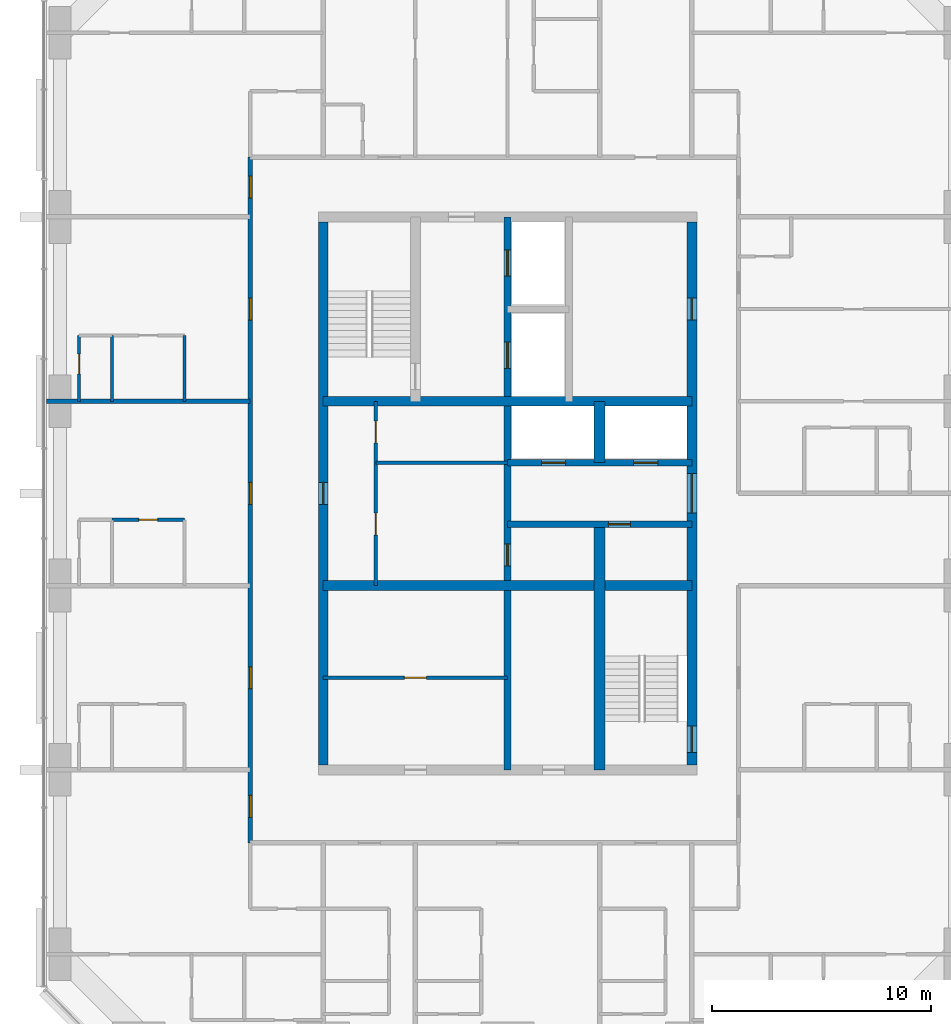
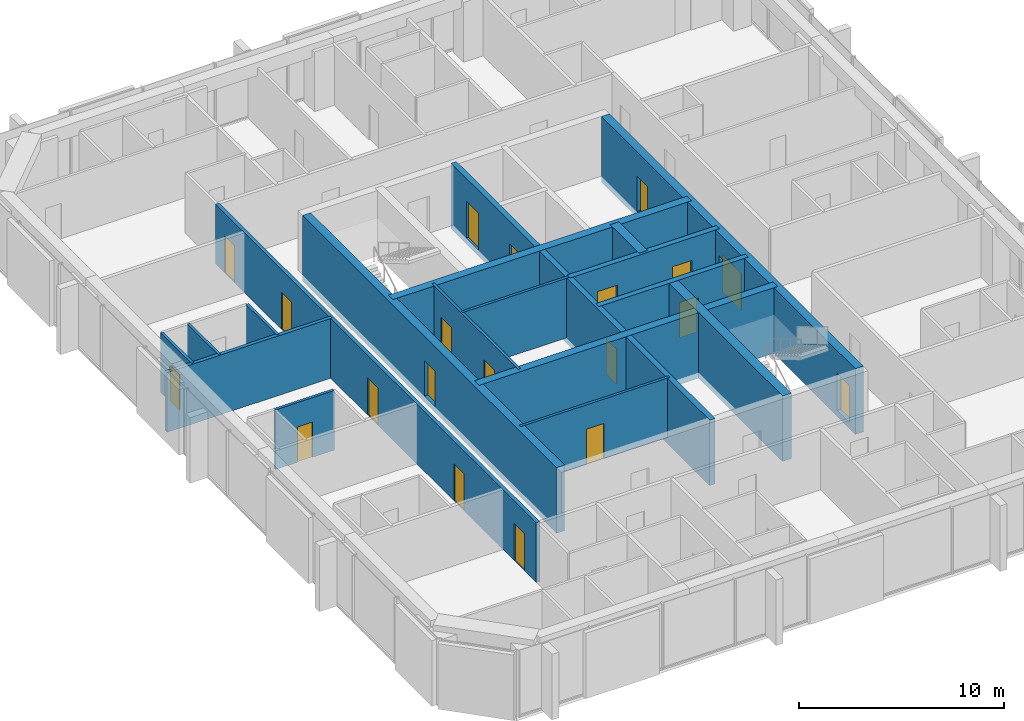
# One storey, part 8 of 12: 20 doors, 18 walls, 20 openings.
"""IFC4 building model written with IfcOpenShell, lengths in metres."""

from ifc_helpers import new_model, si_unit, direction, frame, frame_2d, origin, place, context, subcontext, project, spatial, rectangle, extrude, material, layer, layer_set, type_object, element, fill, save


model = new_model("IFC4")

# Units and contexts
model_context = context("Model", 3, precision=1e-05, world=origin(), true_north=direction((0.0, 1.0)))
body_context = subcontext(model_context, "Body", "Model", "MODEL_VIEW")
ifc_project = project(units=[si_unit("LENGTHUNIT", "METRE"), si_unit("AREAUNIT", "SQUARE_METRE"), si_unit("VOLUMEUNIT", "CUBIC_METRE"), si_unit("PLANEANGLEUNIT", "RADIAN"), si_unit("MASSUNIT", "GRAM", prefix="KILO")], contexts=[model_context])

# Site, building, storey
site_placement = place(None, origin())
site = spatial("IfcSite", under=ifc_project, at=site_placement, CompositionType="ELEMENT")
building_placement = place(site_placement, origin())
building = spatial("IfcBuilding", under=site, at=building_placement, Name="Dunama Terrace Hotel", CompositionType="ELEMENT")
storey_placement = place(building_placement, frame((0.0, 0.0, 241.199951171875)))
storey = spatial("IfcBuildingStorey", under=building, at=storey_placement, Name="L62", CompositionType="ELEMENT", Elevation=241.199951171875)

# Wall
ifc_material_1 = material(Name="Gypsum board partition", Category="masonry")
ifc_layer_1 = layer(ifc_material_1, 0.14990234375)
ifc_layer_set_1 = layer_set([ifc_layer_1], Name="Bathroom partition 150")
wall_type_1 = type_object("IfcWallType", Name="Bathroom partition 150", PredefinedType="PARTITIONING", material=ifc_layer_set_1)
wall_1_placement = place(storey_placement, frame((18.875, 33.60009765625, 0.0), z_axis=(0.0, 0.0, 1.0), x_axis=(0.0, 1.0, 0.0)))
element("IfcWall", 1, at=wall_1_placement, inside=storey, type_object=wall_type_1, Name="Bathroom partition 150 L62", PredefinedType="PARTITIONING", context=body_context, shape_type="SweptSolid", body=[
    extrude(rectangle(XDim=3.0, YDim=0.14990234375, at=frame_2d((1.5, 0.0))), origin(), (0.0, 0.0, 1.0), 3.550048828125),
])

# Wall, opening, door
wall_2_placement = place(storey_placement, frame((15.574951171875, 28.199951171875, 0.0), z_axis=(0.0, 0.0, 1.0), x_axis=(1.0, 0.0, 0.0)))
wall_2 = element("IfcWall", 2, at=wall_2_placement, inside=storey, type_object=wall_type_1, Name="Bathroom partition 150 L62", PredefinedType="PARTITIONING", context=body_context, shape_type="SweptSolid", body=[
    extrude(rectangle(XDim=3.300048828125, YDim=0.14990234375, at=frame_2d((1.64990234375, 0.0))), origin(), (0.0, 0.0, 1.0), 3.550048828125),
])
opening_1_placement = place(wall_2_placement, frame((1.22509765625, 0.0, 0.0)))
opening_1 = element("IfcOpeningElement", 3, at=opening_1_placement, cuts=wall_2, Name="Opening L62-64-036", PredefinedType="OPENING", context=body_context, shape_type="SweptSolid", body=[
    extrude(rectangle(XDim=0.85009765625, YDim=2.10009765625, at=frame_2d((0.425048828125, 1.050048828125))), frame((0.0, 0.0849609375, 0.0), z_axis=(0.0, -1.0, 0.0), x_axis=(1.0, 0.0, 0.0)), (0.0, 0.0, 1.0), 0.169921875),
])
ifc_material_2 = material(Name="Timber door with steel frame", Category="steel")
door_type_1 = type_object("IfcDoorType", Name="Bathroom door 850", OperationType="SINGLE_SWING_LEFT", PredefinedType="DOOR", material=ifc_material_2)
door_1_placement = place(opening_1_placement, frame((0.85009765625, 0.0, 0.0), z_axis=(0.0, 0.0, 1.0), x_axis=(-1.0, 0.0, 0.0)))
door_1 = element("IfcDoor", 4, at=door_1_placement, inside=storey, type_object=door_type_1, Name="Door to en-suite bathroom L62-64-036, type D2", OperationType="SINGLE_SWING_LEFT", OverallHeight=2.10009765625, OverallWidth=0.85009765625, PredefinedType="DOOR", context=body_context, shape_type="SweptSolid", body=[
    extrude(rectangle(XDim=0.85009765625, YDim=2.10009765625, at=frame_2d((0.425048828125, 1.050048828125))), frame((0.0, 0.025146484375, 0.0), z_axis=(0.0, -1.0, 0.0), x_axis=(1.0, 0.0, 0.0)), (0.0, 0.0, 1.0), 0.050048828125),
])
fill(opening_1, door_1)

# Wall, openings, doors
ifc_material_3 = material(Name="Concrete C50/60", Category="concrete")
ifc_layer_2 = layer(ifc_material_3, 0.300048828125)
ifc_layer_set_2 = layer_set([ifc_layer_2], Name="Core inner wall 300")
wall_type_2 = type_object("IfcWallType", Name="Core inner wall 300", PredefinedType="SHEAR", material=ifc_layer_set_2)
wall_3_placement = place(storey_placement, frame((33.60009765625, 16.800048828125, -0.349853515625), z_axis=(0.0, 0.0, 1.0), x_axis=(0.0, 1.0, 0.0)))
wall_3 = element("IfcWall", 5, at=wall_3_placement, inside=storey, type_object=wall_type_2, Name="Core inner wall 300 L62", PredefinedType="SHEAR", context=body_context, shape_type="SweptSolid", body=[
    extrude(rectangle(XDim=25.199951171875, YDim=0.300048828125, at=frame_2d((12.60009765625, 0.0))), origin(), (0.0, 0.0, 1.0), 3.89990234375),
])
opening_2_placement = place(wall_3_placement, frame((22.5, 0.0, 0.35009765625)))
opening_2 = element("IfcOpeningElement", 6, at=opening_2_placement, cuts=wall_3, Name="Opening L62-64-005", PredefinedType="OPENING", context=body_context, shape_type="SweptSolid", body=[
    extrude(rectangle(XDim=1.199951171875, YDim=2.199951171875, at=frame_2d((0.60009765625, 1.10009765625))), frame((0.0, 0.159912109375, 0.0), z_axis=(0.0, -1.0, 0.0), x_axis=(1.0, 0.0, 0.0)), (0.0, 0.0, 1.0), 0.320068359375),
])
opening_3_placement = place(wall_3_placement, frame((18.300048828125, 0.0, 0.35009765625)))
opening_3 = element("IfcOpeningElement", 7, at=opening_3_placement, cuts=wall_3, Name="Opening L62-64-006", PredefinedType="OPENING", context=body_context, shape_type="SweptSolid", body=[
    extrude(rectangle(XDim=1.199951171875, YDim=2.199951171875, at=frame_2d((0.60009765625, 1.10009765625))), frame((0.0, 0.159912109375, 0.0), z_axis=(0.0, -1.0, 0.0), x_axis=(1.0, 0.0, 0.0)), (0.0, 0.0, 1.0), 0.320068359375),
])
opening_4_placement = place(wall_3_placement, frame((9.300048828125, 0.0, 0.35009765625)))
opening_4 = element("IfcOpeningElement", 8, at=opening_4_placement, cuts=wall_3, Name="Opening L62-64-064", PredefinedType="OPENING", context=body_context, shape_type="SweptSolid", body=[
    extrude(rectangle(XDim=1.0, YDim=2.10009765625, at=frame_2d((0.5, 1.050048828125))), frame((0.0, 0.159912109375, 0.0), z_axis=(0.0, -1.0, 0.0), x_axis=(1.0, 0.0, 0.0)), (0.0, 0.0, 1.0), 0.320068359375),
])
ifc_material_4 = material(Name="Stainless steel lift door", Category="steel")
door_type_2 = type_object("IfcDoorType", Name="Firefighting lift landing door 1200", OperationType="DOUBLE_DOOR_SLIDING", PredefinedType="DOOR", material=ifc_material_4)
door_2_placement = place(opening_2_placement, origin())
door_2 = element("IfcDoor", 9, at=door_2_placement, inside=storey, type_object=door_type_2, Name="Landing door FL1 L62-64-005, type LD2", OperationType="DOUBLE_DOOR_SLIDING", OverallHeight=2.199951171875, OverallWidth=1.199951171875, PredefinedType="DOOR", context=body_context, shape_type="SweptSolid", body=[
    extrude(rectangle(XDim=1.199951171875, YDim=2.199951171875, at=frame_2d((0.60009765625, 1.10009765625))), frame((0.0, 0.02490234375, 0.0), z_axis=(0.0, -1.0, 0.0), x_axis=(1.0, 0.0, 0.0)), (0.0, 0.0, 1.0), 0.050048828125),
])
fill(opening_2, door_2)
door_3_placement = place(opening_3_placement, origin())
door_3 = element("IfcDoor", 10, at=door_3_placement, inside=storey, type_object=door_type_2, Name="Landing door FL2 L62-64-006, type LD2", OperationType="DOUBLE_DOOR_SLIDING", OverallHeight=2.199951171875, OverallWidth=1.199951171875, PredefinedType="DOOR", context=body_context, shape_type="SweptSolid", body=[
    extrude(rectangle(XDim=1.199951171875, YDim=2.199951171875, at=frame_2d((0.60009765625, 1.10009765625))), frame((0.0, 0.02490234375, 0.0), z_axis=(0.0, -1.0, 0.0), x_axis=(1.0, 0.0, 0.0)), (0.0, 0.0, 1.0), 0.050048828125),
])
fill(opening_3, door_3)
ifc_material_5 = material(Name="Timber door with steel frame", Category="steel")
door_type_3 = type_object("IfcDoorType", Name="Service door 1000", OperationType="SINGLE_SWING_LEFT", PredefinedType="DOOR", material=ifc_material_5)
door_4_placement = place(opening_4_placement, frame((1.0, 0.0, 0.0), z_axis=(0.0, 0.0, 1.0), x_axis=(-1.0, 0.0, 0.0)))
door_4 = element("IfcDoor", 11, at=door_4_placement, inside=storey, type_object=door_type_3, Name="Door to service riser L62-64-064, type D7", OperationType="SINGLE_SWING_RIGHT", OverallHeight=2.10009765625, OverallWidth=1.0, PredefinedType="DOOR", context=body_context, shape_type="SweptSolid", body=[
    extrude(rectangle(XDim=1.0, YDim=2.10009765625, at=frame_2d((0.5, 1.050048828125))), frame((0.0, 0.025146484375, 0.0), z_axis=(0.0, -1.0, 0.0), x_axis=(1.0, 0.0, 0.0)), (0.0, 0.0, 1.0), 0.050048828125),
])
fill(opening_4, door_4)

# Wall, opening, door
wall_4_placement = place(storey_placement, frame((33.60009765625, 28.0, -0.349853515625), z_axis=(0.0, 0.0, 1.0), x_axis=(1.0, 0.0, 0.0)))
wall_4 = element("IfcWall", 12, at=wall_4_placement, inside=storey, type_object=wall_type_2, Name="Core inner wall 300 L62", PredefinedType="SHEAR", context=body_context, shape_type="SweptSolid", body=[
    extrude(rectangle(XDim=8.39990234375, YDim=0.300048828125, at=frame_2d((4.199951171875, 0.0))), origin(), (0.0, 0.0, 1.0), 3.89990234375),
])
opening_5_placement = place(wall_4_placement, frame((4.60009765625, 0.0, 0.35009765625)))
opening_5 = element("IfcOpeningElement", 13, at=opening_5_placement, cuts=wall_4, Name="Opening L62-64-065", PredefinedType="OPENING", context=body_context, shape_type="SweptSolid", body=[
    extrude(rectangle(XDim=1.0, YDim=2.10009765625, at=frame_2d((0.5, 1.050048828125))), frame((0.0, 0.159912109375, 0.0), z_axis=(0.0, -1.0, 0.0), x_axis=(1.0, 0.0, 0.0)), (0.0, 0.0, 1.0), 0.320068359375),
])
door_5_placement = place(opening_5_placement, frame((1.0, 0.0, 0.0), z_axis=(0.0, 0.0, 1.0), x_axis=(-1.0, 0.0, 0.0)))
door_5 = element("IfcDoor", 14, at=door_5_placement, inside=storey, type_object=door_type_3, Name="Door to guest pantry L62-64-065, type D7", OperationType="SINGLE_SWING_RIGHT", OverallHeight=2.10009765625, OverallWidth=1.0, PredefinedType="DOOR", context=body_context, shape_type="SweptSolid", body=[
    extrude(rectangle(XDim=1.0, YDim=2.10009765625, at=frame_2d((0.5, 1.050048828125))), frame((0.0, 0.025146484375, 0.0), z_axis=(0.0, -1.0, 0.0), x_axis=(1.0, 0.0, 0.0)), (0.0, 0.0, 1.0), 0.050048828125),
])
fill(opening_5, door_5)

# Wall, openings, doors
wall_5_placement = place(storey_placement, frame((33.60009765625, 30.800048828125, -0.349853515625), z_axis=(0.0, 0.0, 1.0), x_axis=(1.0, 0.0, 0.0)))
wall_5 = element("IfcWall", 15, at=wall_5_placement, inside=storey, type_object=wall_type_2, Name="Core inner wall 300 L62", PredefinedType="SHEAR", context=body_context, shape_type="SweptSolid", body=[
    extrude(rectangle(XDim=8.39990234375, YDim=0.300048828125, at=frame_2d((4.199951171875, 0.0))), origin(), (0.0, 0.0, 1.0), 3.89990234375),
])
opening_6_placement = place(wall_5_placement, frame((1.550048828125, 0.0, 0.35009765625)))
opening_6 = element("IfcOpeningElement", 16, at=opening_6_placement, cuts=wall_5, Name="Opening L62-64-003", PredefinedType="OPENING", context=body_context, shape_type="SweptSolid", body=[
    extrude(rectangle(XDim=1.10009765625, YDim=2.199951171875, at=frame_2d((0.550048828125, 1.10009765625))), frame((0.0, 0.159912109375, 0.0), z_axis=(0.0, -1.0, 0.0), x_axis=(1.0, 0.0, 0.0)), (0.0, 0.0, 1.0), 0.320068359375),
])
opening_7_placement = place(wall_5_placement, frame((5.75, 0.0, 0.35009765625)))
opening_7 = element("IfcOpeningElement", 17, at=opening_7_placement, cuts=wall_5, Name="Opening L62-64-004", PredefinedType="OPENING", context=body_context, shape_type="SweptSolid", body=[
    extrude(rectangle(XDim=1.10009765625, YDim=2.199951171875, at=frame_2d((0.550048828125, 1.10009765625))), frame((0.0, 0.159912109375, 0.0), z_axis=(0.0, -1.0, 0.0), x_axis=(1.0, 0.0, 0.0)), (0.0, 0.0, 1.0), 0.320068359375),
])
ifc_material_6 = material(Name="Stainless steel lift door", Category="steel")
door_type_4 = type_object("IfcDoorType", Name="Lift landing door 1100", OperationType="DOUBLE_DOOR_SLIDING", PredefinedType="DOOR", material=ifc_material_6)
door_6_placement = place(opening_6_placement, origin())
door_6 = element("IfcDoor", 18, at=door_6_placement, inside=storey, type_object=door_type_4, Name="Landing door PD1 L62-64-003, type LD1", OperationType="DOUBLE_DOOR_SLIDING", OverallHeight=2.199951171875, OverallWidth=1.10009765625, PredefinedType="DOOR", context=body_context, shape_type="SweptSolid", body=[
    extrude(rectangle(XDim=1.10009765625, YDim=2.199951171875, at=frame_2d((0.550048828125, 1.10009765625))), frame((0.0, 0.02490234375, 0.0), z_axis=(0.0, -1.0, 0.0), x_axis=(1.0, 0.0, 0.0)), (0.0, 0.0, 1.0), 0.050048828125),
])
fill(opening_6, door_6)
door_7_placement = place(opening_7_placement, origin())
door_7 = element("IfcDoor", 19, at=door_7_placement, inside=storey, type_object=door_type_4, Name="Landing door PD2 L62-64-004, type LD1", OperationType="DOUBLE_DOOR_SLIDING", OverallHeight=2.199951171875, OverallWidth=1.10009765625, PredefinedType="DOOR", context=body_context, shape_type="SweptSolid", body=[
    extrude(rectangle(XDim=1.10009765625, YDim=2.199951171875, at=frame_2d((0.550048828125, 1.10009765625))), frame((0.0, 0.02490234375, 0.0), z_axis=(0.0, -1.0, 0.0), x_axis=(1.0, 0.0, 0.0)), (0.0, 0.0, 1.0), 0.050048828125),
])
fill(opening_7, door_7)

# Walls
ifc_material_7 = material(Name="Concrete C50/60", Category="concrete")
ifc_layer_3 = layer(ifc_material_7, 0.449951171875)
ifc_layer_set_3 = layer_set([ifc_layer_3], Name="Core inner wall 450")
wall_type_3 = type_object("IfcWallType", Name="Core inner wall 450", PredefinedType="SHEAR", material=ifc_layer_set_3)
for number, where, z_axis, x_axis, name in (
    (20, (25.199951171875, 25.199951171875, -0.349853515625), (0.0, 0.0, 1.0), (1.0, 0.0, 0.0), "Core inner wall 450 L62"),
    (21, (25.199951171875, 33.60009765625, -0.349853515625), (0.0, 0.0, 1.0), (1.0, 0.0, 0.0), "Core inner wall 450 L62"),
):
    element("IfcWall", number, at=place(storey_placement, frame(where, z_axis=z_axis, x_axis=x_axis)), inside=storey, type_object=wall_type_3, Name=name, PredefinedType="SHEAR", context=body_context, shape_type="SweptSolid", body=[
        extrude(rectangle(XDim=16.800048828125, YDim=0.449951171875, at=frame_2d((8.39990234375, 0.0))), origin(), (0.0, 0.0, 1.0), 3.89990234375),
    ])
ifc_material_8 = material(Name="Concrete C50/60", Category="concrete")
ifc_layer_4 = layer(ifc_material_8, 0.5)
ifc_layer_set_4 = layer_set([ifc_layer_4], Name="Core inner wall 500")
wall_type_4 = type_object("IfcWallType", Name="Core inner wall 500", PredefinedType="SHEAR", material=ifc_layer_set_4)
wall_6_placement = place(storey_placement, frame((37.800048828125, 16.800048828125, -0.349853515625), z_axis=(0.0, 0.0, 1.0), x_axis=(0.0, 1.0, 0.0)))
element("IfcWall", 22, at=wall_6_placement, inside=storey, type_object=wall_type_4, Name="Core inner wall 500 L62", PredefinedType="SHEAR", context=body_context, shape_type="SweptSolid", body=[
    extrude(rectangle(XDim=11.199951171875, YDim=0.5, at=frame_2d((5.60009765625, 0.0))), origin(), (0.0, 0.0, 1.0), 3.89990234375),
])
wall_7_placement = place(storey_placement, frame((37.800048828125, 30.800048828125, -0.349853515625), z_axis=(0.0, 0.0, 1.0), x_axis=(0.0, 1.0, 0.0)))
element("IfcWall", 23, at=wall_7_placement, inside=storey, type_object=wall_type_4, Name="Core inner wall 500 L62", PredefinedType="SHEAR", context=body_context, shape_type="SweptSolid", body=[
    extrude(rectangle(XDim=2.800048828125, YDim=0.5, at=frame_2d((1.39990234375, 0.0))), origin(), (0.0, 0.0, 1.0), 3.89990234375),
])

# Wall, openings, doors
ifc_material_9 = material(Name="Concrete C50/60", Category="concrete")
ifc_layer_5 = layer(ifc_material_9, 0.449951171875)
ifc_layer_set_5 = layer_set([ifc_layer_5], Name="Core wall 450")
wall_type_5 = type_object("IfcWallType", Name="Core wall 450", PredefinedType="SHEAR", material=ifc_layer_set_5)
wall_8_placement = place(storey_placement, frame((42.0, 17.02490234375, -0.349853515625), z_axis=(0.0, 0.0, 1.0), x_axis=(0.0, 1.0, 0.0)))
wall_8 = element("IfcWall", 24, at=wall_8_placement, inside=storey, type_object=wall_type_5, Name="Core wall east L62", PredefinedType="SHEAR", context=body_context, shape_type="SweptSolid", body=[
    extrude(rectangle(XDim=24.75, YDim=0.449951171875, at=frame_2d((12.375, 0.0))), origin(), (0.0, 0.0, 1.0), 3.89990234375),
])
opening_8_placement = place(wall_8_placement, frame((0.574951171875, 0.0, 0.35009765625)))
opening_8 = element("IfcOpeningElement", 25, at=opening_8_placement, cuts=wall_8, Name="Opening L62-64-002", PredefinedType="OPENING", context=body_context, shape_type="SweptSolid", body=[
    extrude(rectangle(XDim=1.199951171875, YDim=2.199951171875, at=frame_2d((0.60009765625, 1.10009765625))), frame((0.0, 0.23486328125, 0.0), z_axis=(0.0, -1.0, 0.0), x_axis=(1.0, 0.0, 0.0)), (0.0, 0.0, 1.0), 0.469970703125),
])
opening_9_placement = place(wall_8_placement, frame((11.47509765625, 0.0, 0.35009765625)))
opening_9 = element("IfcOpeningElement", 26, at=opening_9_placement, cuts=wall_8, Name="Opening L62-64-066", PredefinedType="OPENING", context=body_context, shape_type="SweptSolid", body=[
    extrude(rectangle(XDim=1.800048828125, YDim=2.199951171875, at=frame_2d((0.89990234375, 1.10009765625))), frame((0.0, 0.23486328125, 0.0), z_axis=(0.0, -1.0, 0.0), x_axis=(1.0, 0.0, 0.0)), (0.0, 0.0, 1.0), 0.469970703125),
])
opening_10_placement = place(wall_8_placement, frame((20.27490234375, 0.0, 0.35009765625)))
opening_10 = element("IfcOpeningElement", 27, at=opening_10_placement, cuts=wall_8, Name="Opening L62-64-068", PredefinedType="OPENING", context=body_context, shape_type="SweptSolid", body=[
    extrude(rectangle(XDim=1.0, YDim=2.10009765625, at=frame_2d((0.5, 1.050048828125))), frame((0.0, 0.23486328125, 0.0), z_axis=(0.0, -1.0, 0.0), x_axis=(1.0, 0.0, 0.0)), (0.0, 0.0, 1.0), 0.469970703125),
])
ifc_material_10 = material(Name="Timber door with steel frame", Category="steel")
door_type_5 = type_object("IfcDoorType", Name="Lift lobby double door 1800", OperationType="DOUBLE_DOOR_DOUBLE_SWING", PredefinedType="DOOR", material=ifc_material_10)
door_8_placement = place(opening_9_placement, origin())
door_8 = element("IfcDoor", 28, at=door_8_placement, inside=storey, type_object=door_type_5, Name="Door to lift lobby L62-64-066, type D3", OperationType="DOUBLE_DOOR_DOUBLE_SWING", OverallHeight=2.199951171875, OverallWidth=1.800048828125, PredefinedType="DOOR", context=body_context, shape_type="SweptSolid", body=[
    extrude(rectangle(XDim=1.800048828125, YDim=2.199951171875, at=frame_2d((0.89990234375, 1.10009765625))), frame((0.0, 0.02490234375, 0.0), z_axis=(0.0, -1.0, 0.0), x_axis=(1.0, 0.0, 0.0)), (0.0, 0.0, 1.0), 0.050048828125),
])
fill(opening_9, door_8)
door_9_placement = place(opening_10_placement, origin())
door_9 = element("IfcDoor", 29, at=door_9_placement, inside=storey, type_object=door_type_3, Name="Door to ice and vending room L62-64-068, type D7", OperationType="SINGLE_SWING_LEFT", OverallHeight=2.10009765625, OverallWidth=1.0, PredefinedType="DOOR", context=body_context, shape_type="SweptSolid", body=[
    extrude(rectangle(XDim=1.0, YDim=2.10009765625, at=frame_2d((0.5, 1.050048828125))), frame((0.0, 0.02490234375, 0.0), z_axis=(0.0, -1.0, 0.0), x_axis=(1.0, 0.0, 0.0)), (0.0, 0.0, 1.0), 0.050048828125),
])
fill(opening_10, door_9)
ifc_material_11 = material(Name="Timber door with steel frame", Category="steel")
door_type_6 = type_object("IfcDoorType", Name="Stair door 1200", OperationType="SINGLE_SWING_LEFT", PredefinedType="DOOR", material=ifc_material_11)
door_10_placement = place(opening_8_placement, origin())
door_10 = element("IfcDoor", 30, at=door_10_placement, inside=storey, type_object=door_type_6, Name="Stair door ST2 L62-64-002, type D5", OperationType="SINGLE_SWING_LEFT", OverallHeight=2.199951171875, OverallWidth=1.199951171875, PredefinedType="DOOR", context=body_context, shape_type="SweptSolid", body=[
    extrude(rectangle(XDim=1.199951171875, YDim=2.199951171875, at=frame_2d((0.60009765625, 1.10009765625))), frame((0.0, 0.02490234375, 0.0), z_axis=(0.0, -1.0, 0.0), x_axis=(1.0, 0.0, 0.0)), (0.0, 0.0, 1.0), 0.050048828125),
])
fill(opening_8, door_10)

# Wall, opening, door
wall_9_placement = place(storey_placement, frame((25.199951171875, 41.77490234375, -0.349853515625), z_axis=(0.0, 0.0, 1.0), x_axis=(0.0, -1.0, 0.0)))
wall_9 = element("IfcWall", 31, at=wall_9_placement, inside=storey, type_object=wall_type_5, Name="Core wall west L62", PredefinedType="SHEAR", context=body_context, shape_type="SweptSolid", body=[
    extrude(rectangle(XDim=24.75, YDim=0.449951171875, at=frame_2d((12.375, 0.0))), origin(), (0.0, 0.0, 1.0), 3.89990234375),
])
opening_11_placement = place(wall_9_placement, frame((11.875, 0.0, 0.35009765625)))
opening_11 = element("IfcOpeningElement", 32, at=opening_11_placement, cuts=wall_9, Name="Opening L62-64-061", PredefinedType="OPENING", context=body_context, shape_type="SweptSolid", body=[
    extrude(rectangle(XDim=1.0, YDim=2.10009765625, at=frame_2d((0.5, 1.050048828125))), frame((0.0, 0.23486328125, 0.0), z_axis=(0.0, -1.0, 0.0), x_axis=(1.0, 0.0, 0.0)), (0.0, 0.0, 1.0), 0.469970703125),
])
door_11_placement = place(opening_11_placement, origin())
door_11 = element("IfcDoor", 33, at=door_11_placement, inside=storey, type_object=door_type_3, Name="Door to staff passage L62-64-061, type D7", OperationType="SINGLE_SWING_LEFT", OverallHeight=2.10009765625, OverallWidth=1.0, PredefinedType="DOOR", context=body_context, shape_type="SweptSolid", body=[
    extrude(rectangle(XDim=1.0, YDim=2.10009765625, at=frame_2d((0.5, 1.050048828125))), frame((0.0, 0.02490234375, 0.0), z_axis=(0.0, -1.0, 0.0), x_axis=(1.0, 0.0, 0.0)), (0.0, 0.0, 1.0), 0.050048828125),
])
fill(opening_11, door_11)

# Wall, openings, doors
ifc_material_12 = material(Name="Concrete blockwork", Category="masonry")
ifc_layer_6 = layer(ifc_material_12, 0.199951171875)
ifc_layer_set_6 = layer_set([ifc_layer_6], Name="Corridor partition 200")
wall_type_6 = type_object("IfcWallType", Name="Corridor partition 200", PredefinedType="PARTITIONING", material=ifc_layer_set_6)
wall_10_placement = place(storey_placement, frame((21.875, 13.47509765625, 0.0), z_axis=(0.0, 0.0, 1.0), x_axis=(0.0, 1.0, 0.0)))
wall_10 = element("IfcWall", 34, at=wall_10_placement, inside=storey, type_object=wall_type_6, Name="Corridor partition 200 L62", PredefinedType="PARTITIONING", context=body_context, shape_type="SweptSolid", body=[
    extrude(rectangle(XDim=31.25, YDim=0.199951171875, at=frame_2d((15.625, 0.0))), origin(), (0.0, 0.0, 1.0), 3.550048828125),
])
opening_12_placement = place(wall_10_placement, frame((7.02490234375, 0.0, 0.0)))
opening_12 = element("IfcOpeningElement", 35, at=opening_12_placement, cuts=wall_10, Name="Opening L62-64-032", PredefinedType="OPENING", context=body_context, shape_type="SweptSolid", body=[
    extrude(rectangle(XDim=1.0, YDim=2.199951171875, at=frame_2d((0.5, 1.10009765625))), frame((0.0, 0.10986328125, 0.0), z_axis=(0.0, -1.0, 0.0), x_axis=(1.0, 0.0, 0.0)), (0.0, 0.0, 1.0), 0.219970703125),
])
opening_13_placement = place(wall_10_placement, frame((15.425048828125, 0.0, 0.0)))
opening_13 = element("IfcOpeningElement", 36, at=opening_13_placement, cuts=wall_10, Name="Opening L62-64-035", PredefinedType="OPENING", context=body_context, shape_type="SweptSolid", body=[
    extrude(rectangle(XDim=1.0, YDim=2.199951171875, at=frame_2d((0.5, 1.10009765625))), frame((0.0, 0.10986328125, 0.0), z_axis=(0.0, -1.0, 0.0), x_axis=(1.0, 0.0, 0.0)), (0.0, 0.0, 1.0), 0.219970703125),
])
opening_14_placement = place(wall_10_placement, frame((23.824951171875, 0.0, 0.0)))
opening_14 = element("IfcOpeningElement", 37, at=opening_14_placement, cuts=wall_10, Name="Opening L62-64-038", PredefinedType="OPENING", context=body_context, shape_type="SweptSolid", body=[
    extrude(rectangle(XDim=1.0, YDim=2.199951171875, at=frame_2d((0.5, 1.10009765625))), frame((0.0, 0.10986328125, 0.0), z_axis=(0.0, -1.0, 0.0), x_axis=(1.0, 0.0, 0.0)), (0.0, 0.0, 1.0), 0.219970703125),
])
opening_15_placement = place(wall_10_placement, frame((1.162109375, 0.0, 0.0)))
opening_15 = element("IfcOpeningElement", 38, at=opening_15_placement, cuts=wall_10, Name="Opening L62-64-041", PredefinedType="OPENING", context=body_context, shape_type="SweptSolid", body=[
    extrude(rectangle(XDim=1.0, YDim=2.199951171875, at=frame_2d((0.5, 1.10009765625))), frame((0.0, 0.10986328125, 0.0), z_axis=(0.0, -1.0, 0.0), x_axis=(1.0, 0.0, 0.0)), (0.0, 0.0, 1.0), 0.219970703125),
])
opening_16_placement = place(wall_10_placement, frame((29.386962890625, 0.0, 0.0)))
opening_16 = element("IfcOpeningElement", 39, at=opening_16_placement, cuts=wall_10, Name="Opening L62-64-056", PredefinedType="OPENING", context=body_context, shape_type="SweptSolid", body=[
    extrude(rectangle(XDim=1.0, YDim=2.199951171875, at=frame_2d((0.5, 1.10009765625))), frame((0.0, 0.10986328125, 0.0), z_axis=(0.0, -1.0, 0.0), x_axis=(1.0, 0.0, 0.0)), (0.0, 0.0, 1.0), 0.219970703125),
])
ifc_material_13 = material(Name="Timber door with steel frame", Category="steel")
door_type_7 = type_object("IfcDoorType", Name="Guest room door 1000", OperationType="SINGLE_SWING_LEFT", PredefinedType="DOOR", material=ifc_material_13)
door_12_placement = place(opening_12_placement, origin())
door_12 = element("IfcDoor", 40, at=door_12_placement, inside=storey, type_object=door_type_7, Name="Door to junior suite L62-64-032, type D1", OperationType="SINGLE_SWING_LEFT", OverallHeight=2.199951171875, OverallWidth=1.0, PredefinedType="DOOR", context=body_context, shape_type="SweptSolid", body=[
    extrude(rectangle(XDim=1.0, YDim=2.199951171875, at=frame_2d((0.5, 1.10009765625))), frame((0.0, 0.02490234375, 0.0), z_axis=(0.0, -1.0, 0.0), x_axis=(1.0, 0.0, 0.0)), (0.0, 0.0, 1.0), 0.050048828125),
])
fill(opening_12, door_12)
door_13_placement = place(opening_13_placement, origin())
door_13 = element("IfcDoor", 41, at=door_13_placement, inside=storey, type_object=door_type_7, Name="Door to junior suite L62-64-035, type D1", OperationType="SINGLE_SWING_LEFT", OverallHeight=2.199951171875, OverallWidth=1.0, PredefinedType="DOOR", context=body_context, shape_type="SweptSolid", body=[
    extrude(rectangle(XDim=1.0, YDim=2.199951171875, at=frame_2d((0.5, 1.10009765625))), frame((0.0, 0.02490234375, 0.0), z_axis=(0.0, -1.0, 0.0), x_axis=(1.0, 0.0, 0.0)), (0.0, 0.0, 1.0), 0.050048828125),
])
fill(opening_13, door_13)
door_14_placement = place(opening_14_placement, origin())
door_14 = element("IfcDoor", 42, at=door_14_placement, inside=storey, type_object=door_type_7, Name="Door to junior suite L62-64-038, type D1", OperationType="SINGLE_SWING_LEFT", OverallHeight=2.199951171875, OverallWidth=1.0, PredefinedType="DOOR", context=body_context, shape_type="SweptSolid", body=[
    extrude(rectangle(XDim=1.0, YDim=2.199951171875, at=frame_2d((0.5, 1.10009765625))), frame((0.0, 0.02490234375, 0.0), z_axis=(0.0, -1.0, 0.0), x_axis=(1.0, 0.0, 0.0)), (0.0, 0.0, 1.0), 0.050048828125),
])
fill(opening_14, door_14)
door_15_placement = place(opening_15_placement, origin())
door_15 = element("IfcDoor", 43, at=door_15_placement, inside=storey, type_object=door_type_7, Name="Door to grand corner suite living room L62-64-041, type D1", OperationType="SINGLE_SWING_LEFT", OverallHeight=2.199951171875, OverallWidth=1.0, PredefinedType="DOOR", context=body_context, shape_type="SweptSolid", body=[
    extrude(rectangle(XDim=1.0, YDim=2.199951171875, at=frame_2d((0.5, 1.10009765625))), frame((0.0, 0.02490234375, 0.0), z_axis=(0.0, -1.0, 0.0), x_axis=(1.0, 0.0, 0.0)), (0.0, 0.0, 1.0), 0.050048828125),
])
fill(opening_15, door_15)
door_16_placement = place(opening_16_placement, origin())
door_16 = element("IfcDoor", 44, at=door_16_placement, inside=storey, type_object=door_type_7, Name="Door to grand corner suite living room L62-64-056, type D1", OperationType="SINGLE_SWING_LEFT", OverallHeight=2.199951171875, OverallWidth=1.0, PredefinedType="DOOR", context=body_context, shape_type="SweptSolid", body=[
    extrude(rectangle(XDim=1.0, YDim=2.199951171875, at=frame_2d((0.5, 1.10009765625))), frame((0.0, 0.02490234375, 0.0), z_axis=(0.0, -1.0, 0.0), x_axis=(1.0, 0.0, 0.0)), (0.0, 0.0, 1.0), 0.050048828125),
])
fill(opening_16, door_16)

# Wall
ifc_material_14 = material(Name="Concrete blockwork", Category="masonry")
ifc_layer_7 = layer(ifc_material_14, 0.199951171875)
ifc_layer_set_7 = layer_set([ifc_layer_7], Name="Party wall 200")
wall_type_7 = type_object("IfcWallType", Name="Party wall 200", PredefinedType="PARTITIONING", material=ifc_layer_set_7)
wall_11_placement = place(storey_placement, frame((12.58203125, 33.60009765625, 0.0), z_axis=(0.0, 0.0, 1.0), x_axis=(1.0, 0.0, 0.0)))
element("IfcWall", 45, at=wall_11_placement, inside=storey, type_object=wall_type_7, Name="Party wall 200 L62", PredefinedType="PARTITIONING", context=body_context, shape_type="SweptSolid", body=[
    extrude(rectangle(XDim=9.29296875, YDim=0.199951171875, at=frame_2d((4.646484375, 0.0))), origin(), (0.0, 0.0, 1.0), 3.550048828125),
])

# Wall, opening, door
ifc_material_15 = material(Name="Gypsum board partition", Category="masonry")
ifc_layer_8 = layer(ifc_material_15, 0.14990234375)
ifc_layer_set_8 = layer_set([ifc_layer_8], Name="Room partition 150")
wall_type_8 = type_object("IfcWallType", Name="Room partition 150", PredefinedType="PARTITIONING", material=ifc_layer_set_8)
wall_12_placement = place(storey_placement, frame((14.074951171875, 33.60009765625, 0.0), z_axis=(0.0, 0.0, 1.0), x_axis=(0.0, 1.0, 0.0)))
wall_12 = element("IfcWall", 46, at=wall_12_placement, inside=storey, type_object=wall_type_8, Name="Room partition 150 L62", PredefinedType="PARTITIONING", context=body_context, shape_type="SweptSolid", body=[
    extrude(rectangle(XDim=3.0, YDim=0.14990234375, at=frame_2d((1.5, 0.0))), origin(), (0.0, 0.0, 1.0), 3.550048828125),
])
opening_17_placement = place(wall_12_placement, frame((1.25, 0.0, 0.0)))
opening_17 = element("IfcOpeningElement", 47, at=opening_17_placement, cuts=wall_12, Name="Opening L62-64-040", PredefinedType="OPENING", context=body_context, shape_type="SweptSolid", body=[
    extrude(rectangle(XDim=0.89990234375, YDim=2.10009765625, at=frame_2d((0.449951171875, 1.050048828125))), frame((0.0, 0.0849609375, 0.0), z_axis=(0.0, -1.0, 0.0), x_axis=(1.0, 0.0, 0.0)), (0.0, 0.0, 1.0), 0.169921875),
])
ifc_material_16 = material(Name="Timber door with steel frame", Category="steel")
door_type_8 = type_object("IfcDoorType", Name="Suite internal door 900", OperationType="SINGLE_SWING_LEFT", PredefinedType="DOOR", material=ifc_material_16)
door_17_placement = place(opening_17_placement, frame((0.89990234375, 0.0, 0.0), z_axis=(0.0, 0.0, 1.0), x_axis=(-1.0, 0.0, 0.0)))
door_17 = element("IfcDoor", 48, at=door_17_placement, inside=storey, type_object=door_type_8, Name="Door to walk-in wardrobe L62-64-040, type D16", OperationType="SINGLE_SWING_RIGHT", OverallHeight=2.10009765625, OverallWidth=0.89990234375, PredefinedType="DOOR", context=body_context, shape_type="SweptSolid", body=[
    extrude(rectangle(XDim=0.89990234375, YDim=2.10009765625, at=frame_2d((0.449951171875, 1.050048828125))), frame((0.0, 0.025146484375, 0.0), z_axis=(0.0, -1.0, 0.0), x_axis=(1.0, 0.0, 0.0)), (0.0, 0.0, 1.0), 0.050048828125),
])
fill(opening_17, door_17)

# Wall
wall_13_placement = place(storey_placement, frame((15.574951171875, 33.60009765625, 0.0), z_axis=(0.0, 0.0, 1.0), x_axis=(0.0, 1.0, 0.0)))
element("IfcWall", 49, at=wall_13_placement, inside=storey, type_object=wall_type_8, Name="Room partition 150 L62", PredefinedType="PARTITIONING", context=body_context, shape_type="SweptSolid", body=[
    extrude(rectangle(XDim=3.0, YDim=0.14990234375, at=frame_2d((1.5, 0.0))), origin(), (0.0, 0.0, 1.0), 3.550048828125),
])

# Wall, openings, doors
wall_14_placement = place(storey_placement, frame((27.60009765625, 25.199951171875, 0.0), z_axis=(0.0, 0.0, 1.0), x_axis=(0.0, 1.0, 0.0)))
wall_14 = element("IfcWall", 50, at=wall_14_placement, inside=storey, type_object=wall_type_8, Name="Room partition 150 L62", PredefinedType="PARTITIONING", context=body_context, shape_type="SweptSolid", body=[
    extrude(rectangle(XDim=8.400146484375, YDim=0.14990234375, at=frame_2d((4.2001953125, 0.0))), origin(), (0.0, 0.0, 1.0), 3.550048828125),
])
opening_18_placement = place(wall_14_placement, frame((2.300048828125, 0.0, 0.0)))
opening_18 = element("IfcOpeningElement", 51, at=opening_18_placement, cuts=wall_14, Name="Opening L62-64-062", PredefinedType="OPENING", context=body_context, shape_type="SweptSolid", body=[
    extrude(rectangle(XDim=1.0, YDim=2.10009765625, at=frame_2d((0.5, 1.050048828125))), frame((0.0, 0.0849609375, 0.0), z_axis=(0.0, -1.0, 0.0), x_axis=(1.0, 0.0, 0.0)), (0.0, 0.0, 1.0), 0.169921875),
])
opening_19_placement = place(wall_14_placement, frame((6.5, 0.0, 0.0)))
opening_19 = element("IfcOpeningElement", 52, at=opening_19_placement, cuts=wall_14, Name="Opening L62-64-063", PredefinedType="OPENING", context=body_context, shape_type="SweptSolid", body=[
    extrude(rectangle(XDim=1.0, YDim=2.10009765625, at=frame_2d((0.5, 1.050048828125))), frame((0.0, 0.0849609375, 0.0), z_axis=(0.0, -1.0, 0.0), x_axis=(1.0, 0.0, 0.0)), (0.0, 0.0, 1.0), 0.169921875),
])
door_18_placement = place(opening_18_placement, frame((1.0, 0.0, 0.0), z_axis=(0.0, 0.0, 1.0), x_axis=(-1.0, 0.0, 0.0)))
door_18 = element("IfcDoor", 53, at=door_18_placement, inside=storey, type_object=door_type_3, Name="Door to riser room L62-64-062, type D7", OperationType="SINGLE_SWING_RIGHT", OverallHeight=2.10009765625, OverallWidth=1.0, PredefinedType="DOOR", context=body_context, shape_type="SweptSolid", body=[
    extrude(rectangle(XDim=1.0, YDim=2.10009765625, at=frame_2d((0.5, 1.050048828125))), frame((0.0, 0.025146484375, 0.0), z_axis=(0.0, -1.0, 0.0), x_axis=(1.0, 0.0, 0.0)), (0.0, 0.0, 1.0), 0.050048828125),
])
fill(opening_18, door_18)
door_19_placement = place(opening_19_placement, frame((1.0, 0.0, 0.0), z_axis=(0.0, 0.0, 1.0), x_axis=(-1.0, 0.0, 0.0)))
door_19 = element("IfcDoor", 54, at=door_19_placement, inside=storey, type_object=door_type_3, Name="Door to staff locker room L62-64-063, type D7", OperationType="SINGLE_SWING_LEFT", OverallHeight=2.10009765625, OverallWidth=1.0, PredefinedType="DOOR", context=body_context, shape_type="SweptSolid", body=[
    extrude(rectangle(XDim=1.0, YDim=2.10009765625, at=frame_2d((0.5, 1.050048828125))), frame((0.0, 0.025146484375, 0.0), z_axis=(0.0, -1.0, 0.0), x_axis=(1.0, 0.0, 0.0)), (0.0, 0.0, 1.0), 0.050048828125),
])
fill(opening_19, door_19)

# Wall, opening, door
wall_15_placement = place(storey_placement, frame((25.199951171875, 21.0, 0.0), z_axis=(0.0, 0.0, 1.0), x_axis=(1.0, 0.0, 0.0)))
wall_15 = element("IfcWall", 55, at=wall_15_placement, inside=storey, type_object=wall_type_8, Name="Room partition 150 L62", PredefinedType="PARTITIONING", context=body_context, shape_type="SweptSolid", body=[
    extrude(rectangle(XDim=8.400146484375, YDim=0.14990234375, at=frame_2d((4.2001953125, 0.0))), origin(), (0.0, 0.0, 1.0), 3.550048828125),
])
opening_20_placement = place(wall_15_placement, frame((3.699951171875, 0.0, 0.0)))
opening_20 = element("IfcOpeningElement", 56, at=opening_20_placement, cuts=wall_15, Name="Opening L62-64-070", PredefinedType="OPENING", context=body_context, shape_type="SweptSolid", body=[
    extrude(rectangle(XDim=1.0, YDim=2.10009765625, at=frame_2d((0.5, 1.050048828125))), frame((0.0, 0.0849609375, 0.0), z_axis=(0.0, -1.0, 0.0), x_axis=(1.0, 0.0, 0.0)), (0.0, 0.0, 1.0), 0.169921875),
])
door_20_placement = place(opening_20_placement, origin())
door_20 = element("IfcDoor", 57, at=door_20_placement, inside=storey, type_object=door_type_3, Name="Door to stair pressurisation fan room L62-64-070, type D7", OperationType="SINGLE_SWING_LEFT", OverallHeight=2.10009765625, OverallWidth=1.0, PredefinedType="DOOR", context=body_context, shape_type="SweptSolid", body=[
    extrude(rectangle(XDim=1.0, YDim=2.10009765625, at=frame_2d((0.5, 1.050048828125))), frame((0.0, 0.02490234375, 0.0), z_axis=(0.0, -1.0, 0.0), x_axis=(1.0, 0.0, 0.0)), (0.0, 0.0, 1.0), 0.050048828125),
])
fill(opening_20, door_20)

# Wall
wall_16_placement = place(storey_placement, frame((27.60009765625, 30.800048828125, 0.0), z_axis=(0.0, 0.0, 1.0), x_axis=(1.0, 0.0, 0.0)))
element("IfcWall", 58, at=wall_16_placement, inside=storey, type_object=wall_type_8, Name="Room partition 150 L62", PredefinedType="PARTITIONING", context=body_context, shape_type="SweptSolid", body=[
    extrude(rectangle(XDim=6.0, YDim=0.14990234375, at=frame_2d((3.0, 0.0))), origin(), (0.0, 0.0, 1.0), 3.550048828125),
])

save(model, "model.ifc")
